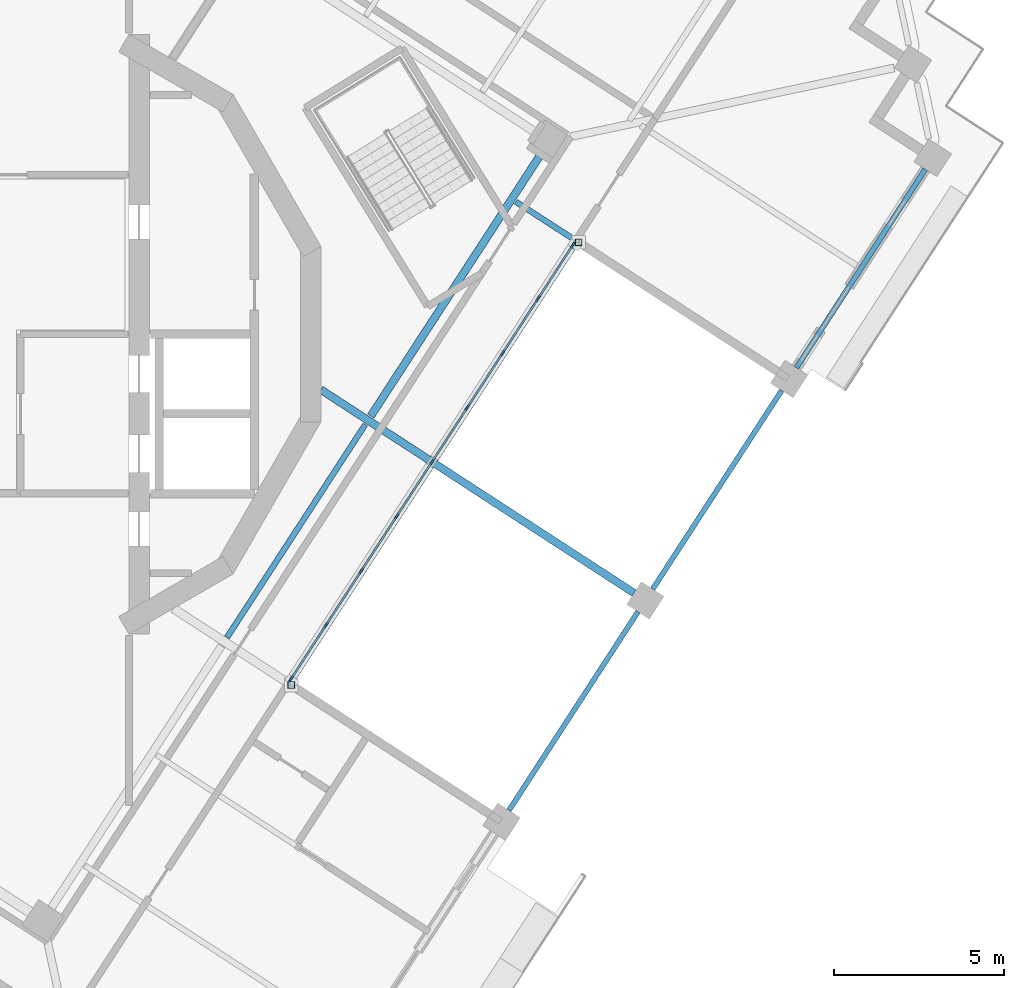
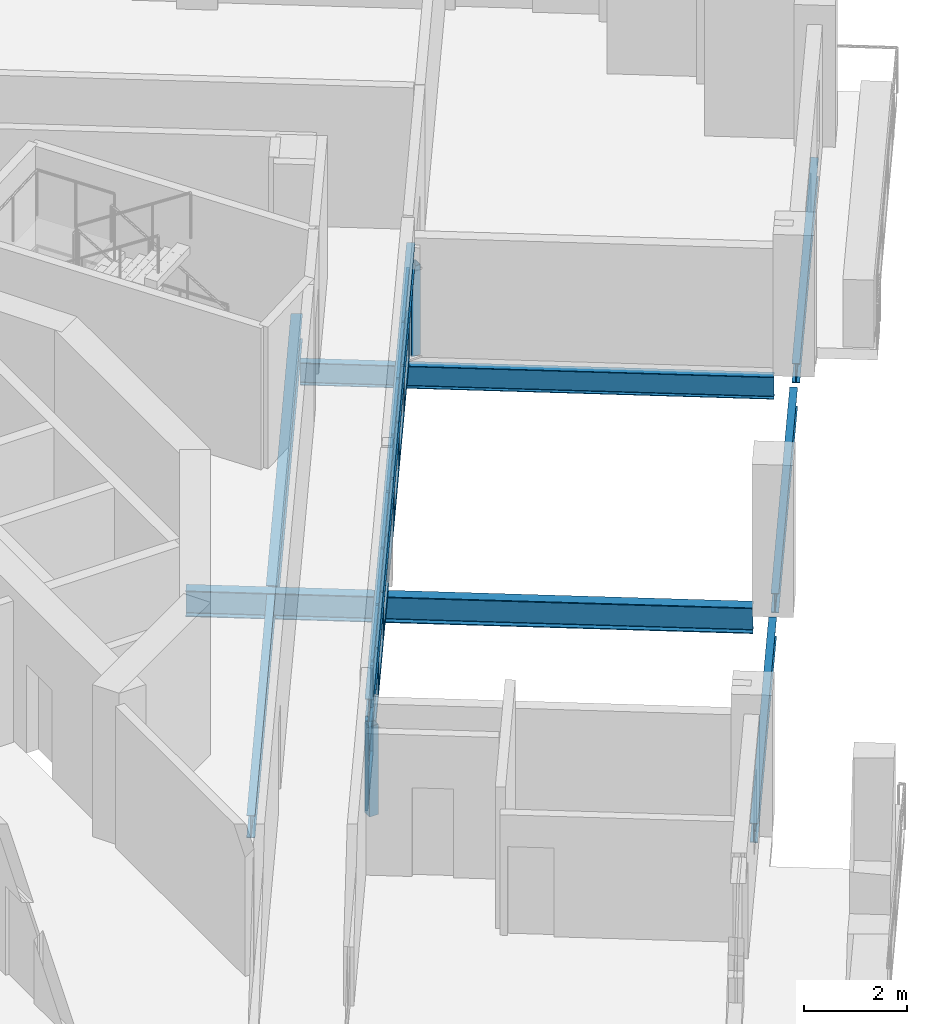
# One storey, part 2 of 17: 35 members, 8 beams, 1 element without a shape of its own.
"""IFC4 building model written with IfcOpenShell, lengths in metres."""

from ifc_helpers import new_model, si_unit, direction, frame, origin, origin_2d, place, context, subcontext, project, spatial, rectangle, hollow_rectangle, i_section, extrude, material, material_profile, profile_set, type_object, element, aggregate, save


model = new_model("IFC4")

# Units and contexts
model_context = context("Model", 3, precision=1e-05, world=origin(), true_north=direction((0.0, 1.0)))
body_context = subcontext(model_context, "Body", "Model", "MODEL_VIEW")
ifc_project = project(units=[si_unit("LENGTHUNIT", "METRE"), si_unit("AREAUNIT", "SQUARE_METRE"), si_unit("VOLUMEUNIT", "CUBIC_METRE"), si_unit("PLANEANGLEUNIT", "RADIAN"), si_unit("MASSUNIT", "GRAM", prefix="KILO")], contexts=[model_context])

# Site, building, storey
site_placement = place(None, origin())
site = spatial("IfcSite", under=ifc_project, at=site_placement, CompositionType="ELEMENT")
building_placement = place(site_placement, origin())
building = spatial("IfcBuilding", under=site, at=building_placement, Name="Cantera Rosa Tower", CompositionType="ELEMENT")
storey_placement = place(building_placement, frame((0.0, 0.0, 264.89990234375)))
storey = spatial("IfcBuildingStorey", under=building, at=storey_placement, Name="L59", CompositionType="ELEMENT", Elevation=264.89990234375)

# Curtain wall, members
ifc_material_1 = material(Name="Aluminium frame with clear glass", Category="aluminium")
curtain_wall_type = type_object("IfcCurtainWallType", Name="CW1 TERRACE POCKET GLAZING", PredefinedType="NOTDEFINED", material=ifc_material_1)
curtain_wall_placement = place(storey_placement, origin())
curtain_wall = element("IfcCurtainWall", 1, at=curtain_wall_placement, inside=storey, type_object=curtain_wall_type, Name="CW1 CW1", PredefinedType="NOTDEFINED")
ifc_material_2 = material(Name="Anodised bronze aluminium", Category="aluminium")
ifc_material_profile_1 = material_profile(ifc_material_2, rectangle(XDim=0.06005859375, YDim=0.179931640625, at=origin_2d()), Name="CW-MULLION 60x180 POCKET")
ifc_profile_set_1 = profile_set([ifc_material_profile_1], Name="Anodised bronze aluminium")
member_type_1 = type_object("IfcMemberType", Name="CW-MULLION 60x180 POCKET", PredefinedType="MULLION", material=ifc_profile_set_1)
member_1_placement = place(storey_placement, frame((8.78466796875, -10.158203125, 0.0), z_axis=(0.0, 0.0, 1.0), x_axis=(-0.838670567945, 0.544639035015, 0.0)))
member_1 = element("IfcMember", 2, at=member_1_placement, type_object=member_type_1, Name="CW1 mullion 1", PredefinedType="MULLION", context=body_context, shape_type="SweptSolid", body=[
    extrude(rectangle(XDim=0.06005859375, YDim=0.179931640625, at=origin_2d()), origin(), (0.0, 0.0, 1.0), 2.128173828125),
])
member_2_placement = place(storey_placement, frame((9.810546875, -8.578369140625, 0.0), z_axis=(0.0, 0.0, 1.0), x_axis=(-0.838670567945, 0.544639035015, 0.0)))
member_2 = element("IfcMember", 3, at=member_2_placement, type_object=member_type_1, Name="CW1 mullion 2", PredefinedType="MULLION", context=body_context, shape_type="SweptSolid", body=[
    extrude(rectangle(XDim=0.06005859375, YDim=0.179931640625, at=origin_2d()), origin(), (0.0, 0.0, 1.0), 2.128173828125),
])
member_3_placement = place(storey_placement, frame((10.852783203125, -6.973388671875, 0.0), z_axis=(0.0, 0.0, 1.0), x_axis=(-0.838670567945, 0.544639035015, 0.0)))
member_3 = element("IfcMember", 4, at=member_3_placement, type_object=member_type_1, Name="CW1 mullion 3", PredefinedType="MULLION", context=body_context, shape_type="SweptSolid", body=[
    extrude(rectangle(XDim=0.06005859375, YDim=0.179931640625, at=origin_2d()), origin(), (0.0, 0.0, 1.0), 2.128173828125),
])
member_4_placement = place(storey_placement, frame((11.895263671875, -5.368408203125, 0.0), z_axis=(0.0, 0.0, 1.0), x_axis=(-0.838670567945, 0.544639035015, 0.0)))
member_4 = element("IfcMember", 5, at=member_4_placement, type_object=member_type_1, Name="CW1 mullion 4", PredefinedType="MULLION", context=body_context, shape_type="SweptSolid", body=[
    extrude(rectangle(XDim=0.06005859375, YDim=0.179931640625, at=origin_2d()), origin(), (0.0, 0.0, 1.0), 2.128173828125),
])
member_5_placement = place(storey_placement, frame((12.9375, -3.763427734375, 0.0), z_axis=(0.0, 0.0, 1.0), x_axis=(-0.838670567945, 0.544639035015, 0.0)))
member_5 = element("IfcMember", 6, at=member_5_placement, type_object=member_type_1, Name="CW1 mullion 5", PredefinedType="MULLION", context=body_context, shape_type="SweptSolid", body=[
    extrude(rectangle(XDim=0.06005859375, YDim=0.179931640625, at=origin_2d()), origin(), (0.0, 0.0, 1.0), 2.128173828125),
])
member_6_placement = place(storey_placement, frame((13.979736328125, -2.158447265625, 0.0), z_axis=(0.0, 0.0, 1.0), x_axis=(-0.838670567945, 0.544639035015, 0.0)))
member_6 = element("IfcMember", 7, at=member_6_placement, type_object=member_type_1, Name="CW1 mullion 6", PredefinedType="MULLION", context=body_context, shape_type="SweptSolid", body=[
    extrude(rectangle(XDim=0.06005859375, YDim=0.179931640625, at=origin_2d()), origin(), (0.0, 0.0, 1.0), 2.128173828125),
])
member_7_placement = place(storey_placement, frame((15.022216796875, -0.553466796875, 0.0), z_axis=(0.0, 0.0, 1.0), x_axis=(-0.838670567945, 0.544639035015, 0.0)))
member_7 = element("IfcMember", 8, at=member_7_placement, type_object=member_type_1, Name="CW1 mullion 7", PredefinedType="MULLION", context=body_context, shape_type="SweptSolid", body=[
    extrude(rectangle(XDim=0.06005859375, YDim=0.179931640625, at=origin_2d()), origin(), (0.0, 0.0, 1.0), 2.128173828125),
])
member_8_placement = place(storey_placement, frame((16.064453125, 1.051513671875, 0.0), z_axis=(0.0, 0.0, 1.0), x_axis=(-0.838670567945, 0.544639035015, 0.0)))
member_8 = element("IfcMember", 9, at=member_8_placement, type_object=member_type_1, Name="CW1 mullion 8", PredefinedType="MULLION", context=body_context, shape_type="SweptSolid", body=[
    extrude(rectangle(XDim=0.06005859375, YDim=0.179931640625, at=origin_2d()), origin(), (0.0, 0.0, 1.0), 2.128173828125),
])
member_9_placement = place(storey_placement, frame((17.09033203125, 2.63134765625, 0.0), z_axis=(0.0, 0.0, 1.0), x_axis=(-0.838670567945, 0.544639035015, 0.0)))
member_9 = element("IfcMember", 10, at=member_9_placement, type_object=member_type_1, Name="CW1 mullion 9", PredefinedType="MULLION", context=body_context, shape_type="SweptSolid", body=[
    extrude(rectangle(XDim=0.06005859375, YDim=0.179931640625, at=origin_2d()), origin(), (0.0, 0.0, 1.0), 2.128173828125),
])
ifc_material_3 = material(Name="Anodised bronze aluminium", Category="aluminium")
ifc_material_profile_2 = material_profile(ifc_material_3, rectangle(XDim=0.06005859375, YDim=0.139892578125, at=origin_2d()), Name="CW-TRANSOM 60x140 POCKET")
ifc_profile_set_2 = profile_set([ifc_material_profile_2], Name="Anodised bronze aluminium")
member_type_2 = type_object("IfcMemberType", Name="CW-TRANSOM 60x140 POCKET", PredefinedType="USERDEFINED", material=ifc_profile_set_2)
member_10_placement = place(storey_placement, frame((8.801025390625, -10.133056640625, 0.030029296875), z_axis=(0.544588321702, 0.838703499376, 0.0), x_axis=(-0.838703499376, 0.544588321702, 0.0)))
member_10 = element("IfcMember", 11, at=member_10_placement, type_object=member_type_2, Name="CW1 transom 1.1", ObjectType="TRANSOM", PredefinedType="USERDEFINED", context=body_context, shape_type="SweptSolid", body=[
    extrude(rectangle(XDim=0.06005859375, YDim=0.139892578125, at=origin_2d()), origin(), (0.0, 0.0, 1.0), 1.82373046875),
])
member_11_placement = place(storey_placement, frame((8.801025390625, -10.133056640625, 1.064208984375), z_axis=(0.544588321702, 0.838703499376, 0.0), x_axis=(-0.838703499376, 0.544588321702, 0.0)))
member_11 = element("IfcMember", 12, at=member_11_placement, type_object=member_type_2, Name="CW1 transom 1.2", ObjectType="TRANSOM", PredefinedType="USERDEFINED", context=body_context, shape_type="SweptSolid", body=[
    extrude(rectangle(XDim=0.06005859375, YDim=0.139892578125, at=origin_2d()), origin(), (0.0, 0.0, 1.0), 1.82373046875),
])
member_12_placement = place(storey_placement, frame((8.801025390625, -10.133056640625, 2.09814453125), z_axis=(0.544588321702, 0.838703499376, 0.0), x_axis=(-0.838703499376, 0.544588321702, 0.0)))
member_12 = element("IfcMember", 13, at=member_12_placement, type_object=member_type_2, Name="CW1 transom 1.3", ObjectType="TRANSOM", PredefinedType="USERDEFINED", context=body_context, shape_type="SweptSolid", body=[
    extrude(rectangle(XDim=0.06005859375, YDim=0.139892578125, at=origin_2d()), origin(), (0.0, 0.0, 1.0), 1.82373046875),
])
member_13_placement = place(storey_placement, frame((9.826904296875, -8.55322265625, 0.030029296875), z_axis=(0.544692059849, 0.838636130832, 0.0), x_axis=(-0.838636130832, 0.544692059849, 0.0)))
member_13 = element("IfcMember", 14, at=member_13_placement, type_object=member_type_2, Name="CW1 transom 2.1", ObjectType="TRANSOM", PredefinedType="USERDEFINED", context=body_context, shape_type="SweptSolid", body=[
    extrude(rectangle(XDim=0.06005859375, YDim=0.139892578125, at=origin_2d()), origin(), (0.0, 0.0, 1.0), 1.853759765625),
])
member_14_placement = place(storey_placement, frame((9.826904296875, -8.55322265625, 1.064208984375), z_axis=(0.544692059849, 0.838636130832, 0.0), x_axis=(-0.838636130832, 0.544692059849, 0.0)))
member_14 = element("IfcMember", 15, at=member_14_placement, type_object=member_type_2, Name="CW1 transom 2.2", ObjectType="TRANSOM", PredefinedType="USERDEFINED", context=body_context, shape_type="SweptSolid", body=[
    extrude(rectangle(XDim=0.06005859375, YDim=0.139892578125, at=origin_2d()), origin(), (0.0, 0.0, 1.0), 1.853759765625),
])
member_15_placement = place(storey_placement, frame((9.826904296875, -8.55322265625, 2.09814453125), z_axis=(0.544692059849, 0.838636130832, 0.0), x_axis=(-0.838636130832, 0.544692059849, 0.0)))
member_15 = element("IfcMember", 16, at=member_15_placement, type_object=member_type_2, Name="CW1 transom 2.3", ObjectType="TRANSOM", PredefinedType="USERDEFINED", context=body_context, shape_type="SweptSolid", body=[
    extrude(rectangle(XDim=0.06005859375, YDim=0.139892578125, at=origin_2d()), origin(), (0.0, 0.0, 1.0), 1.853759765625),
])
member_16_placement = place(storey_placement, frame((10.869140625, -6.9482421875, 0.030029296875), z_axis=(0.544692059849, 0.838636130832, 0.0), x_axis=(-0.838636130832, 0.544692059849, 0.0)))
member_16 = element("IfcMember", 17, at=member_16_placement, type_object=member_type_2, Name="CW1 transom 3.1", ObjectType="TRANSOM", PredefinedType="USERDEFINED", context=body_context, shape_type="SweptSolid", body=[
    extrude(rectangle(XDim=0.06005859375, YDim=0.139892578125, at=origin_2d()), origin(), (0.0, 0.0, 1.0), 1.853759765625),
])
member_17_placement = place(storey_placement, frame((10.869140625, -6.9482421875, 1.064208984375), z_axis=(0.544692059849, 0.838636130832, 0.0), x_axis=(-0.838636130832, 0.544692059849, 0.0)))
member_17 = element("IfcMember", 18, at=member_17_placement, type_object=member_type_2, Name="CW1 transom 3.2", ObjectType="TRANSOM", PredefinedType="USERDEFINED", context=body_context, shape_type="SweptSolid", body=[
    extrude(rectangle(XDim=0.06005859375, YDim=0.139892578125, at=origin_2d()), origin(), (0.0, 0.0, 1.0), 1.853759765625),
])
member_18_placement = place(storey_placement, frame((10.869140625, -6.9482421875, 2.09814453125), z_axis=(0.544692059849, 0.838636130832, 0.0), x_axis=(-0.838636130832, 0.544692059849, 0.0)))
member_18 = element("IfcMember", 19, at=member_18_placement, type_object=member_type_2, Name="CW1 transom 3.3", ObjectType="TRANSOM", PredefinedType="USERDEFINED", context=body_context, shape_type="SweptSolid", body=[
    extrude(rectangle(XDim=0.06005859375, YDim=0.139892578125, at=origin_2d()), origin(), (0.0, 0.0, 1.0), 1.853759765625),
])
member_19_placement = place(storey_placement, frame((11.91162109375, -5.34326171875, 0.030029296875), z_axis=(0.544599427137, 0.838696288273, 0.0), x_axis=(-0.838696288273, 0.544599427137, 0.0)))
member_19 = element("IfcMember", 20, at=member_19_placement, type_object=member_type_2, Name="CW1 transom 4.1", ObjectType="TRANSOM", PredefinedType="USERDEFINED", context=body_context, shape_type="SweptSolid", body=[
    extrude(rectangle(XDim=0.06005859375, YDim=0.139892578125, at=origin_2d()), origin(), (0.0, 0.0, 1.0), 1.853759765625),
])
member_20_placement = place(storey_placement, frame((11.91162109375, -5.34326171875, 1.064208984375), z_axis=(0.544599427137, 0.838696288273, 0.0), x_axis=(-0.838696288273, 0.544599427137, 0.0)))
member_20 = element("IfcMember", 21, at=member_20_placement, type_object=member_type_2, Name="CW1 transom 4.2", ObjectType="TRANSOM", PredefinedType="USERDEFINED", context=body_context, shape_type="SweptSolid", body=[
    extrude(rectangle(XDim=0.06005859375, YDim=0.139892578125, at=origin_2d()), origin(), (0.0, 0.0, 1.0), 1.853759765625),
])
member_21_placement = place(storey_placement, frame((11.91162109375, -5.34326171875, 2.09814453125), z_axis=(0.544599427137, 0.838696288273, 0.0), x_axis=(-0.838696288273, 0.544599427137, 0.0)))
member_21 = element("IfcMember", 22, at=member_21_placement, type_object=member_type_2, Name="CW1 transom 4.3", ObjectType="TRANSOM", PredefinedType="USERDEFINED", context=body_context, shape_type="SweptSolid", body=[
    extrude(rectangle(XDim=0.06005859375, YDim=0.139892578125, at=origin_2d()), origin(), (0.0, 0.0, 1.0), 1.853759765625),
])
member_22_placement = place(storey_placement, frame((12.953857421875, -3.73828125, 0.030029296875), z_axis=(0.544599427137, 0.838696288273, 0.0), x_axis=(-0.838696288273, 0.544599427137, 0.0)))
member_22 = element("IfcMember", 23, at=member_22_placement, type_object=member_type_2, Name="CW1 transom 5.1", ObjectType="TRANSOM", PredefinedType="USERDEFINED", context=body_context, shape_type="SweptSolid", body=[
    extrude(rectangle(XDim=0.06005859375, YDim=0.139892578125, at=origin_2d()), origin(), (0.0, 0.0, 1.0), 1.853759765625),
])
member_23_placement = place(storey_placement, frame((12.953857421875, -3.73828125, 1.064208984375), z_axis=(0.544599427137, 0.838696288273, 0.0), x_axis=(-0.838696288273, 0.544599427137, 0.0)))
member_23 = element("IfcMember", 24, at=member_23_placement, type_object=member_type_2, Name="CW1 transom 5.2", ObjectType="TRANSOM", PredefinedType="USERDEFINED", context=body_context, shape_type="SweptSolid", body=[
    extrude(rectangle(XDim=0.06005859375, YDim=0.139892578125, at=origin_2d()), origin(), (0.0, 0.0, 1.0), 1.853759765625),
])
member_24_placement = place(storey_placement, frame((12.953857421875, -3.73828125, 2.09814453125), z_axis=(0.544599427137, 0.838696288273, 0.0), x_axis=(-0.838696288273, 0.544599427137, 0.0)))
member_24 = element("IfcMember", 25, at=member_24_placement, type_object=member_type_2, Name="CW1 transom 5.3", ObjectType="TRANSOM", PredefinedType="USERDEFINED", context=body_context, shape_type="SweptSolid", body=[
    extrude(rectangle(XDim=0.06005859375, YDim=0.139892578125, at=origin_2d()), origin(), (0.0, 0.0, 1.0), 1.853759765625),
])
member_25_placement = place(storey_placement, frame((13.99609375, -2.13330078125, 0.030029296875), z_axis=(0.544692059849, 0.838636130832, 0.0), x_axis=(-0.838636130832, 0.544692059849, 0.0)))
member_25 = element("IfcMember", 26, at=member_25_placement, type_object=member_type_2, Name="CW1 transom 6.1", ObjectType="TRANSOM", PredefinedType="USERDEFINED", context=body_context, shape_type="SweptSolid", body=[
    extrude(rectangle(XDim=0.06005859375, YDim=0.139892578125, at=origin_2d()), origin(), (0.0, 0.0, 1.0), 1.853759765625),
])
member_26_placement = place(storey_placement, frame((13.99609375, -2.13330078125, 1.064208984375), z_axis=(0.544692059849, 0.838636130832, 0.0), x_axis=(-0.838636130832, 0.544692059849, 0.0)))
member_26 = element("IfcMember", 27, at=member_26_placement, type_object=member_type_2, Name="CW1 transom 6.2", ObjectType="TRANSOM", PredefinedType="USERDEFINED", context=body_context, shape_type="SweptSolid", body=[
    extrude(rectangle(XDim=0.06005859375, YDim=0.139892578125, at=origin_2d()), origin(), (0.0, 0.0, 1.0), 1.853759765625),
])
member_27_placement = place(storey_placement, frame((13.99609375, -2.13330078125, 2.09814453125), z_axis=(0.544692059849, 0.838636130832, 0.0), x_axis=(-0.838636130832, 0.544692059849, 0.0)))
member_27 = element("IfcMember", 28, at=member_27_placement, type_object=member_type_2, Name="CW1 transom 6.3", ObjectType="TRANSOM", PredefinedType="USERDEFINED", context=body_context, shape_type="SweptSolid", body=[
    extrude(rectangle(XDim=0.06005859375, YDim=0.139892578125, at=origin_2d()), origin(), (0.0, 0.0, 1.0), 1.853759765625),
])
member_28_placement = place(storey_placement, frame((15.038330078125, -0.5283203125, 0.030029296875), z_axis=(0.544692059849, 0.838636130832, 0.0), x_axis=(-0.838636130832, 0.544692059849, 0.0)))
member_28 = element("IfcMember", 29, at=member_28_placement, type_object=member_type_2, Name="CW1 transom 7.1", ObjectType="TRANSOM", PredefinedType="USERDEFINED", context=body_context, shape_type="SweptSolid", body=[
    extrude(rectangle(XDim=0.06005859375, YDim=0.139892578125, at=origin_2d()), origin(), (0.0, 0.0, 1.0), 1.853759765625),
])
member_29_placement = place(storey_placement, frame((15.038330078125, -0.5283203125, 1.064208984375), z_axis=(0.544692059849, 0.838636130832, 0.0), x_axis=(-0.838636130832, 0.544692059849, 0.0)))
member_29 = element("IfcMember", 30, at=member_29_placement, type_object=member_type_2, Name="CW1 transom 7.2", ObjectType="TRANSOM", PredefinedType="USERDEFINED", context=body_context, shape_type="SweptSolid", body=[
    extrude(rectangle(XDim=0.06005859375, YDim=0.139892578125, at=origin_2d()), origin(), (0.0, 0.0, 1.0), 1.853759765625),
])
member_30_placement = place(storey_placement, frame((15.038330078125, -0.5283203125, 2.09814453125), z_axis=(0.544692059849, 0.838636130832, 0.0), x_axis=(-0.838636130832, 0.544692059849, 0.0)))
member_30 = element("IfcMember", 31, at=member_30_placement, type_object=member_type_2, Name="CW1 transom 7.3", ObjectType="TRANSOM", PredefinedType="USERDEFINED", context=body_context, shape_type="SweptSolid", body=[
    extrude(rectangle(XDim=0.06005859375, YDim=0.139892578125, at=origin_2d()), origin(), (0.0, 0.0, 1.0), 1.853759765625),
])
member_31_placement = place(storey_placement, frame((16.080810546875, 1.07666015625, 0.030029296875), z_axis=(0.544588321702, 0.838703499376, 0.0), x_axis=(-0.838703499376, 0.544588321702, 0.0)))
member_31 = element("IfcMember", 32, at=member_31_placement, type_object=member_type_2, Name="CW1 transom 8.1", ObjectType="TRANSOM", PredefinedType="USERDEFINED", context=body_context, shape_type="SweptSolid", body=[
    extrude(rectangle(XDim=0.06005859375, YDim=0.139892578125, at=origin_2d()), origin(), (0.0, 0.0, 1.0), 1.82373046875),
])
member_32_placement = place(storey_placement, frame((16.080810546875, 1.07666015625, 1.064208984375), z_axis=(0.544588321702, 0.838703499376, 0.0), x_axis=(-0.838703499376, 0.544588321702, 0.0)))
member_32 = element("IfcMember", 33, at=member_32_placement, type_object=member_type_2, Name="CW1 transom 8.2", ObjectType="TRANSOM", PredefinedType="USERDEFINED", context=body_context, shape_type="SweptSolid", body=[
    extrude(rectangle(XDim=0.06005859375, YDim=0.139892578125, at=origin_2d()), origin(), (0.0, 0.0, 1.0), 1.82373046875),
])
member_33_placement = place(storey_placement, frame((16.080810546875, 1.07666015625, 2.09814453125), z_axis=(0.544588321702, 0.838703499376, 0.0), x_axis=(-0.838703499376, 0.544588321702, 0.0)))
member_33 = element("IfcMember", 34, at=member_33_placement, type_object=member_type_2, Name="CW1 transom 8.3", ObjectType="TRANSOM", PredefinedType="USERDEFINED", context=body_context, shape_type="SweptSolid", body=[
    extrude(rectangle(XDim=0.06005859375, YDim=0.139892578125, at=origin_2d()), origin(), (0.0, 0.0, 1.0), 1.82373046875),
])
aggregate(curtain_wall, [member_1, member_2, member_3, member_4, member_5, member_6, member_7, member_8, member_9, member_10, member_11, member_12, member_13, member_14, member_15, member_16, member_17, member_18, member_19, member_20, member_21, member_22, member_23, member_24, member_25, member_26, member_27, member_28, member_29, member_30, member_31, member_32, member_33])

# Members
ifc_material_4 = material(Name="Steel ASTM A992 (Fy 345 MPa)", Category="steel")
ifc_material_profile_3 = material_profile(ifc_material_4, hollow_rectangle(XDim=0.199951171875, YDim=0.199951171875, WallThickness=0.010009765625, at=origin_2d()), Name="LINTEL POST RHS 200x200x10")
ifc_profile_set_3 = profile_set([ifc_material_profile_3], Name="Steel ASTM A992 (Fy 345 MPa)")
member_type_3 = type_object("IfcMemberType", Name="LINTEL POST RHS 200x200x10", PredefinedType="USERDEFINED", material=ifc_profile_set_3)
for number, where, z_axis, x_axis, name in (
    (35, (8.7841796875, -10.3427734375, 0.0), (0.0, 0.0, 1.0), (1.0, 0.0, 0.0), "LINTEL POST L59-1"),
    (36, (17.2587890625, 2.70703125, 0.0), (0.0, 0.0, 1.0), (1.0, 0.0, 0.0), "LINTEL POST L59-2"),
):
    element("IfcMember", number, at=place(storey_placement, frame(where, z_axis=z_axis, x_axis=x_axis)), inside=storey, type_object=member_type_3, Name=name, ObjectType="LINTEL POST", PredefinedType="USERDEFINED", context=body_context, shape_type="SweptSolid", body=[
        extrude(hollow_rectangle(XDim=0.199951171875, YDim=0.199951171875, WallThickness=0.010009765625, at=origin_2d()), origin(), (0.0, 0.0, 1.0), 2.130126953125),
    ])

# Beams
ifc_material_5 = material(Name="Steel ASTM A992 (Fy 345 MPa)", Category="steel")
ifc_material_profile_4 = material_profile(ifc_material_5, i_section(OverallWidth=0.166015625, OverallDepth=0.528076171875, WebThickness=0.009765625, FlangeThickness=0.013671875, FilletRadius=0.0126953125, at=origin_2d()), Name="W530X74")
ifc_profile_set_4 = profile_set([ifc_material_profile_4], Name="Steel ASTM A992 (Fy 345 MPa)")
beam_type_1 = type_object("IfcBeamType", Name="STEEL BEAM W530X74", PredefinedType="BEAM", material=ifc_profile_set_4)
beam_1_placement = place(storey_placement, frame((23.12939453125, -1.10546875, -0.513916015625), z_axis=(-0.838669083999, 0.544641320086, 0.0), x_axis=(-0.544641320086, -0.838669083999, 0.0)))
element("IfcBeam", 37, at=beam_1_placement, inside=storey, type_object=beam_type_1, Name="G-Z5-11 L59", PredefinedType="BEAM", context=body_context, shape_type="SweptSolid", body=[
    extrude(i_section(OverallWidth=0.166015625, OverallDepth=0.528076171875, WebThickness=0.009765625, FlangeThickness=0.013671875, FilletRadius=0.0126953125, at=origin_2d()), origin(), (0.0, 0.0, 1.0), 9.2001953125),
])
beam_2_placement = place(storey_placement, frame((6.894775390625, -8.93701171875, -0.513916015625), z_axis=(0.544649868382, 0.838663532575, 0.0), x_axis=(-0.838663532575, 0.544649868382, 0.0)))
element("IfcBeam", 38, at=beam_2_placement, inside=storey, type_object=beam_type_1, Name="RB-Z5-05 L59", PredefinedType="BEAM", context=body_context, shape_type="SweptSolid", body=[
    extrude(i_section(OverallWidth=0.166015625, OverallDepth=0.528076171875, WebThickness=0.009765625, FlangeThickness=0.013671875, FilletRadius=0.0126953125, at=origin_2d()), origin(), (0.0, 0.0, 1.0), 7.47998046875),
])
beam_3_placement = place(storey_placement, frame((8.769287109375, -10.273681640625, 2.39404296875), z_axis=(0.544634726861, 0.838673365678, 0.0), x_axis=(-0.838673365678, 0.544634726861, 0.0)))
element("IfcBeam", 39, at=beam_3_placement, inside=storey, type_object=beam_type_1, Name="LINTEL SL-L59", PredefinedType="BEAM", context=body_context, shape_type="SweptSolid", body=[
    extrude(i_section(OverallWidth=0.166015625, OverallDepth=0.528076171875, WebThickness=0.009765625, FlangeThickness=0.013671875, FilletRadius=0.0126953125, at=origin_2d()), origin(), (0.0, 0.0, 1.0), 15.460205078125),
])
ifc_material_6 = material(Name="Steel ASTM A992 (Fy 345 MPa)", Category="steel")
ifc_material_profile_5 = material_profile(ifc_material_6, i_section(OverallWidth=0.22802734375, OverallDepth=0.60205078125, WebThickness=0.010498046875, FlangeThickness=0.014892578125, FilletRadius=0.0126953125, at=origin_2d()), Name="W610X101")
ifc_profile_set_5 = profile_set([ifc_material_profile_5], Name="Steel ASTM A992 (Fy 345 MPa)")
beam_type_2 = type_object("IfcBeamType", Name="STEEL BEAM W610X101", PredefinedType="BEAM", material=ifc_profile_set_5)
beam_4_placement = place(storey_placement, frame((11.132080078125, -2.412109375, -0.55078125), z_axis=(0.54463982867, 0.838670052539, 0.0), x_axis=(-0.838670052539, 0.54463982867, 0.0)))
element("IfcBeam", 40, at=beam_4_placement, inside=storey, type_object=beam_type_2, Name="RB-Z5-06 L59", PredefinedType="BEAM", context=body_context, shape_type="SweptSolid", body=[
    extrude(i_section(OverallWidth=0.22802734375, OverallDepth=0.60205078125, WebThickness=0.010498046875, FlangeThickness=0.014892578125, FilletRadius=0.0126953125, at=origin_2d()), origin(), (0.0, 0.0, 1.0), 9.2099609375),
])
ifc_material_7 = material(Name="Steel ASTM A992 (Fy 345 MPa)", Category="steel")
ifc_material_profile_6 = material_profile(ifc_material_7, i_section(OverallWidth=0.22900390625, OverallDepth=0.612060546875, WebThickness=0.011962890625, FlangeThickness=0.01953125, FilletRadius=0.0126953125, at=origin_2d()), Name="W610X125")
ifc_profile_set_6 = profile_set([ifc_material_profile_6], Name="Steel ASTM A992 (Fy 345 MPa)")
beam_type_3 = type_object("IfcBeamType", Name="STEEL BEAM W610X125", PredefinedType="BEAM", material=ifc_profile_set_6)
beam_5_placement = place(storey_placement, frame((18.89208984375, -7.63037109375, -0.555908203125), z_axis=(-0.838673569952, 0.544634412302, 0.0), x_axis=(-0.544634412302, -0.838673569952, 0.0)))
element("IfcBeam", 41, at=beam_5_placement, inside=storey, type_object=beam_type_3, Name="G-Z5-10 L59", PredefinedType="BEAM", context=body_context, shape_type="SweptSolid", body=[
    extrude(i_section(OverallWidth=0.22900390625, OverallDepth=0.612060546875, WebThickness=0.011962890625, FlangeThickness=0.01953125, FilletRadius=0.0126953125, at=origin_2d()), origin(), (0.0, 0.0, 1.0), 11.009033203125),
])
ifc_material_8 = material(Name="Steel ASTM A992 (Fy 345 MPa)", Category="steel")
ifc_material_profile_7 = material_profile(ifc_material_8, i_section(OverallWidth=0.154052734375, OverallDepth=0.4599609375, WebThickness=0.009033203125, FlangeThickness=0.015380859375, FilletRadius=0.01025390625, at=origin_2d()), Name="W460X68")
ifc_profile_set_7 = profile_set([ifc_material_profile_7], Name="Steel ASTM A992 (Fy 345 MPa)")
beam_type_4 = type_object("IfcBeamType", Name="STEEL SPANDREL BEAM W460X68", PredefinedType="SPANDREL", material=ifc_profile_set_7)
beam_6_placement = place(storey_placement, frame((15.2080078125, -14.03759765625, -0.47998046875), z_axis=(0.544651451949, 0.838662504164, 0.0), x_axis=(-0.838662504164, 0.544651451949, 0.0)))
element("IfcBeam", 42, at=beam_6_placement, inside=storey, type_object=beam_type_4, Name="EB-Z5-22 L59", PredefinedType="SPANDREL", context=body_context, shape_type="SweptSolid", body=[
    extrude(i_section(OverallWidth=0.154052734375, OverallDepth=0.4599609375, WebThickness=0.009033203125, FlangeThickness=0.015380859375, FilletRadius=0.01025390625, at=origin_2d()), origin(), (0.0, 0.0, 1.0), 6.980224609375),
])
for number, where, z_axis, x_axis, name in (
    (43, (19.4453125, -7.5126953125, -0.47998046875), (0.544667428764, 0.838652128146, 0.0), (-0.838652128146, 0.544667428764, 0.0), "EB-Z5-23 L59"),
    (44, (23.6826171875, -0.98779296875, -0.47998046875), (0.544667428764, 0.838652128146, 0.0), (-0.838652128146, 0.544667428764, 0.0), "EB-Z5-24 L59"),
):
    element("IfcBeam", number, at=place(storey_placement, frame(where, z_axis=z_axis, x_axis=x_axis)), inside=storey, type_object=beam_type_4, Name=name, PredefinedType="SPANDREL", context=body_context, shape_type="SweptSolid", body=[
        extrude(i_section(OverallWidth=0.154052734375, OverallDepth=0.4599609375, WebThickness=0.009033203125, FlangeThickness=0.015380859375, FilletRadius=0.01025390625, at=origin_2d()), origin(), (0.0, 0.0, 1.0), 6.97998046875),
    ])

save(model, "model.ifc")
